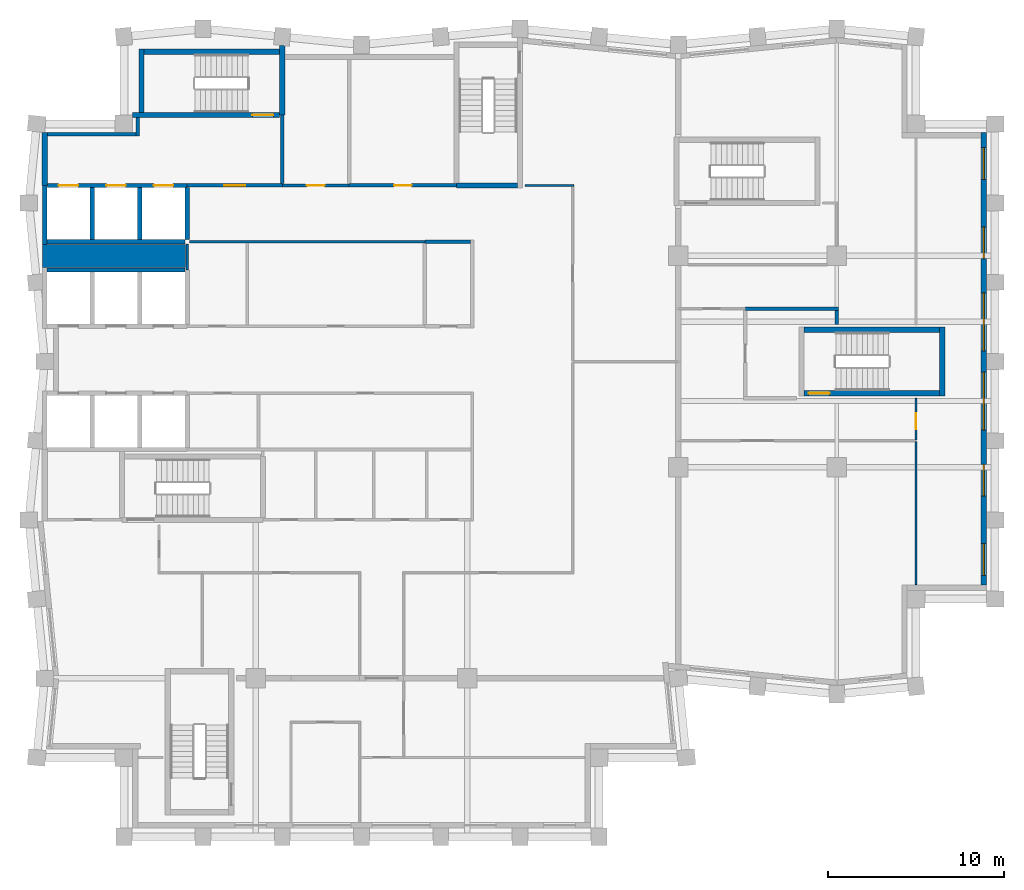
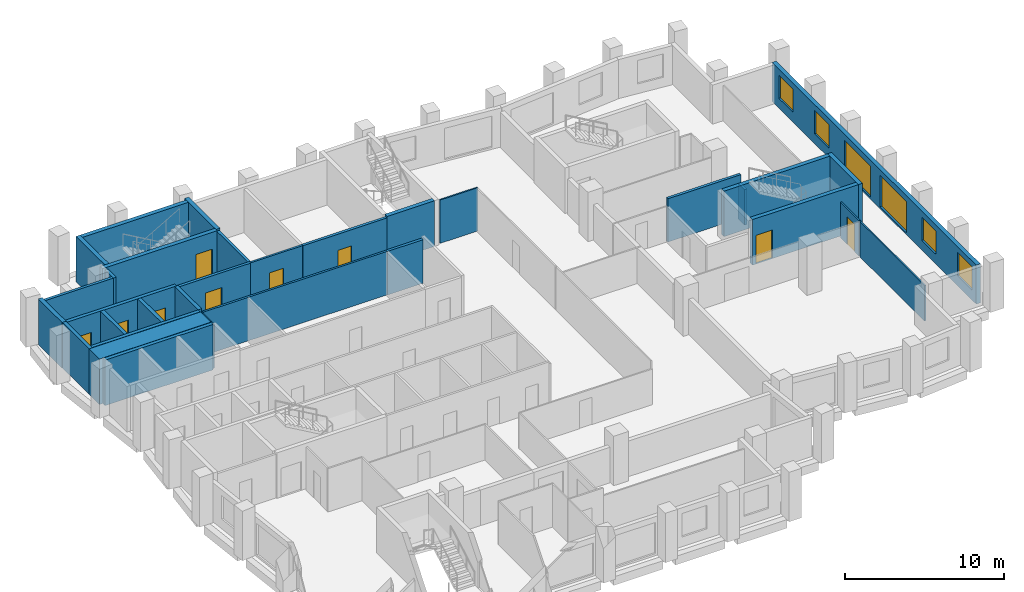
# One storey, part 5 of 8: 32 walls, 9 doors, 6 windows, 15 openings.
"""IFC4 building model written with IfcOpenShell, lengths in metres."""

from ifc_helpers import new_model, si_unit, direction, frame, frame_2d, origin, place, context, subcontext, project, spatial, rectangle, extrude, material, layer, layer_set, type_object, element, fill, save


model = new_model("IFC4")

# Units and contexts
model_context = context("Model", 3, precision=1e-05, world=origin(), true_north=direction((0.0, 1.0)))
body_context = subcontext(model_context, "Body", "Model", "MODEL_VIEW")
ifc_project = project(units=[si_unit("LENGTHUNIT", "METRE"), si_unit("AREAUNIT", "SQUARE_METRE"), si_unit("VOLUMEUNIT", "CUBIC_METRE"), si_unit("PLANEANGLEUNIT", "RADIAN"), si_unit("MASSUNIT", "GRAM", prefix="KILO")], contexts=[model_context])

# Site, building, storey
site_placement = place(None, origin())
site = spatial("IfcSite", under=ifc_project, at=site_placement, CompositionType="ELEMENT")
building_placement = place(site_placement, origin())
building = spatial("IfcBuilding", under=site, at=building_placement, Name="Brondeck Convention Tower", CompositionType="ELEMENT")
storey_placement = place(building_placement, frame((0.0, 0.0, 244.39990234375)))
storey = spatial("IfcBuildingStorey", under=building, at=storey_placement, Name="L60", CompositionType="ELEMENT", Elevation=244.39990234375)

# Walls
ifc_material_1 = material(Name="Concrete C50/60", Category="concrete")
ifc_layer_1 = layer(ifc_material_1, 0.300048828125)
ifc_layer_set_1 = layer_set([ifc_layer_1], Name="Core outer wall 300 Concrete C50/60")
wall_type_1 = type_object("IfcWallType", Name="Core outer wall 300 Concrete C50/60", PredefinedType="SHEAR", material=ifc_layer_set_1)
wall_1_placement = place(storey_placement, frame((0.0, 55.0, 0.0), z_axis=(0.0, 0.0, 1.0), x_axis=(0.0, 1.0, 0.0)))
element("IfcWall", 1, at=wall_1_placement, inside=storey, type_object=wall_type_1, Name="L60 core wall", PredefinedType="SHEAR", context=body_context, shape_type="SweptSolid", body=[
    extrude(rectangle(XDim=3.0, YDim=0.300048828125, at=frame_2d((1.5, 0.0))), origin(), (0.0, 0.0, 1.0), 3.5),
])
ifc_material_2 = material(Name="Fire-rated gypsum board partition")
ifc_layer_2 = layer(ifc_material_2, 0.14990234375)
ifc_layer_set_2 = layer_set([ifc_layer_2], Name="Core partition 150 EI 60")
wall_type_2 = type_object("IfcWallType", Name="Core partition 150 EI 60", PredefinedType="PARTITIONING", material=ifc_layer_set_2)
wall_2_placement = place(storey_placement, frame((8.22509765625, 51.800048828125, 0.0), z_axis=(0.0, 0.0, 1.0), x_axis=(1.0, 0.0, 0.0)))
element("IfcWall", 2, at=wall_2_placement, inside=storey, type_object=wall_type_2, Name="L60 core wall", PredefinedType="PARTITIONING", context=body_context, shape_type="SweptSolid", body=[
    extrude(rectangle(XDim=13.375, YDim=0.14990234375, at=frame_2d((6.6875, 0.0))), origin(), (0.0, 0.0, 1.0), 3.35009765625),
])

# Wall, opening, door
wall_3_placement = place(storey_placement, frame((13.5, 55.0, 0.0), z_axis=(0.0, 0.0, 1.0), x_axis=(1.0, 0.0, 0.0)))
wall_3 = element("IfcWall", 3, at=wall_3_placement, inside=storey, type_object=wall_type_2, Name="L60 core wall", PredefinedType="PARTITIONING", context=body_context, shape_type="SweptSolid", body=[
    extrude(rectangle(XDim=3.800048828125, YDim=0.14990234375, at=frame_2d((1.89990234375, 0.0))), origin(), (0.0, 0.0, 1.0), 3.35009765625),
])
opening_1_placement = place(wall_3_placement, frame((1.39990234375, 0.0, 0.0)))
opening_1 = element("IfcOpeningElement", 4, at=opening_1_placement, cuts=wall_3, Name="Opening C32-12", PredefinedType="OPENING", context=body_context, shape_type="SweptSolid", body=[
    extrude(rectangle(XDim=1.0, YDim=2.10009765625, at=frame_2d((0.5, 1.050048828125))), frame((0.0, 0.0849609375, 0.0), z_axis=(0.0, -1.0, 0.0), x_axis=(1.0, 0.0, 0.0)), (0.0, 0.0, 1.0), 0.169921875),
])
ifc_material_3 = material(Name="Steel fire door", Category="steel")
door_type_1 = type_object("IfcDoorType", Name="Room door 1000x2100 EI 60", OperationType="NOTDEFINED", PredefinedType="DOOR", material=ifc_material_3)
door_1_placement = place(opening_1_placement, origin())
door_1 = element("IfcDoor", 5, at=door_1_placement, inside=storey, type_object=door_type_1, Name="L60 Room door NE-1", OperationType="SINGLE_SWING_LEFT", OverallHeight=2.10009765625, OverallWidth=1.0, PredefinedType="DOOR", context=body_context, shape_type="SweptSolid", body=[
    extrude(rectangle(XDim=1.0, YDim=2.10009765625, at=frame_2d((0.5, 1.050048828125))), frame((0.0, 0.02490234375, 0.0), z_axis=(0.0, -1.0, 0.0), x_axis=(1.0, 0.0, 0.0)), (0.0, 0.0, 1.0), 0.050048828125),
])
fill(opening_1, door_1)

# Walls
wall_4_placement = place(storey_placement, frame((8.10009765625, 50.199951171875, 0.0), z_axis=(0.0, 0.0, 1.0), x_axis=(0.0, 1.0, 0.0)))
element("IfcWall", 6, at=wall_4_placement, inside=storey, type_object=wall_type_2, Name="L60 core wall", PredefinedType="PARTITIONING", context=body_context, shape_type="SweptSolid", body=[
    extrude(rectangle(XDim=1.47509765625, YDim=0.14990234375, at=frame_2d((0.737548828125, 0.0))), origin(), (0.0, 0.0, 1.0), 3.35009765625),
])
ifc_layer_3 = layer(ifc_material_1, 1.300048828125)
ifc_layer_set_3 = layer_set([ifc_layer_3], Name="Core shear wall 1300 Concrete C50/60")
wall_type_3 = type_object("IfcWallType", Name="Core shear wall 1300 Concrete C50/60", PredefinedType="SHEAR", material=ifc_layer_set_3)
wall_5_placement = place(storey_placement, frame((-0.125, 51.0, 0.0), z_axis=(0.0, 0.0, 1.0), x_axis=(1.0, 0.0, 0.0)))
element("IfcWall", 7, at=wall_5_placement, inside=storey, type_object=wall_type_3, Name="L60 core wall", PredefinedType="SHEAR", context=body_context, shape_type="SweptSolid", body=[
    extrude(rectangle(XDim=8.125, YDim=1.300048828125, at=frame_2d((4.0625, 0.0))), origin(), (0.0, 0.0, 1.0), 3.5),
])

# Wall, openings, windows
ifc_material_4 = material(Name="Precast concrete C50/60 bronze finish", Category="concrete")
ifc_layer_4 = layer(ifc_material_4, 0.070068359375, Name="Bronze precast facing")
ifc_material_5 = material(Name="Mineral wool")
ifc_layer_5 = layer(ifc_material_5, 0.159912109375, Name="Insulation")
ifc_material_6 = material(Name="Concrete C35/45", Category="concrete")
ifc_layer_6 = layer(ifc_material_6, 0.070068359375, Name="Backing")
ifc_layer_set_4 = layer_set([ifc_layer_4, ifc_layer_5, ifc_layer_6], Name="External infill wall, precast concrete C50/60 bronze facing")
wall_type_4 = type_object("IfcWallType", Name="External infill wall, precast concrete C50/60 bronze facing", PredefinedType="SOLIDWALL", material=ifc_layer_set_4)
wall_6_placement = place(storey_placement, frame((53.35009765625, 58.0, 0.0), z_axis=(0.0, 0.0, 1.0), x_axis=(0.0, -1.0, 0.0)))
wall_6 = element("IfcWall", 8, at=wall_6_placement, inside=storey, type_object=wall_type_4, Name="ENV-EW-L60-P2-A-E54-01", PredefinedType="SOLIDWALL", context=body_context, shape_type="SweptSolid", body=[
    extrude(rectangle(XDim=25.701904296875, YDim=0.300048828125, at=frame_2d((12.85107421875, 0.0))), origin(), (0.0, 0.0, 1.0), 3.0),
])
opening_2_placement = place(wall_6_placement, frame((0.85009765625, 0.0, 0.75)))
opening_2 = element("IfcOpeningElement", 9, at=opening_2_placement, cuts=wall_6, Name="Opening W10", PredefinedType="OPENING", context=body_context, shape_type="SweptSolid", body=[
    extrude(rectangle(XDim=1.800048828125, YDim=1.800048828125, at=frame_2d((0.89990234375, 0.89990234375))), frame((0.0, 0.159912109375, 0.0), z_axis=(0.0, -1.0, 0.0), x_axis=(1.0, 0.0, 0.0)), (0.0, 0.0, 1.0), 0.320068359375),
])
opening_3_placement = place(wall_6_placement, frame((5.35009765625, 0.0, 0.75)))
opening_3 = element("IfcOpeningElement", 10, at=opening_3_placement, cuts=wall_6, Name="Opening W10", PredefinedType="OPENING", context=body_context, shape_type="SweptSolid", body=[
    extrude(rectangle(XDim=1.800048828125, YDim=1.800048828125, at=frame_2d((0.89990234375, 0.89990234375))), frame((0.0, 0.159912109375, 0.0), z_axis=(0.0, -1.0, 0.0), x_axis=(1.0, 0.0, 0.0)), (0.0, 0.0, 1.0), 0.320068359375),
])
opening_4_placement = place(wall_6_placement, frame((9.10009765625, 0.0, 0.14990234375)))
opening_4 = element("IfcOpeningElement", 11, at=opening_4_placement, cuts=wall_6, Name="Opening W9", PredefinedType="OPENING", context=body_context, shape_type="SweptSolid", body=[
    extrude(rectangle(XDim=3.300048828125, YDim=2.39990234375, at=frame_2d((1.64990234375, 1.199951171875))), frame((0.0, 0.159912109375, 0.0), z_axis=(0.0, -1.0, 0.0), x_axis=(1.0, 0.0, 0.0)), (0.0, 0.0, 1.0), 0.320068359375),
])
opening_5_placement = place(wall_6_placement, frame((13.60009765625, 0.0, 0.14990234375)))
opening_5 = element("IfcOpeningElement", 12, at=opening_5_placement, cuts=wall_6, Name="Opening W9", PredefinedType="OPENING", context=body_context, shape_type="SweptSolid", body=[
    extrude(rectangle(XDim=3.300048828125, YDim=2.39990234375, at=frame_2d((1.64990234375, 1.199951171875))), frame((0.0, 0.159912109375, 0.0), z_axis=(0.0, -1.0, 0.0), x_axis=(1.0, 0.0, 0.0)), (0.0, 0.0, 1.0), 0.320068359375),
])
opening_6_placement = place(wall_6_placement, frame((18.85009765625, 0.0, 0.75)))
opening_6 = element("IfcOpeningElement", 13, at=opening_6_placement, cuts=wall_6, Name="Opening W10", PredefinedType="OPENING", context=body_context, shape_type="SweptSolid", body=[
    extrude(rectangle(XDim=1.800048828125, YDim=1.800048828125, at=frame_2d((0.89990234375, 0.89990234375))), frame((0.0, 0.159912109375, 0.0), z_axis=(0.0, -1.0, 0.0), x_axis=(1.0, 0.0, 0.0)), (0.0, 0.0, 1.0), 0.320068359375),
])
opening_7_placement = place(wall_6_placement, frame((23.35009765625, 0.0, 0.75)))
opening_7 = element("IfcOpeningElement", 14, at=opening_7_placement, cuts=wall_6, Name="Opening W10", PredefinedType="OPENING", context=body_context, shape_type="SweptSolid", body=[
    extrude(rectangle(XDim=1.800048828125, YDim=1.800048828125, at=frame_2d((0.89990234375, 0.89990234375))), frame((0.0, 0.159912109375, 0.0), z_axis=(0.0, -1.0, 0.0), x_axis=(1.0, 0.0, 0.0)), (0.0, 0.0, 1.0), 0.320068359375),
])
ifc_material_7 = material(Name="Bronze tinted double glazing", Category="glass")
window_type_1 = type_object("IfcWindowType", Name="Glazed flute window, bronze tinted", PartitioningType="SINGLE_PANEL", PredefinedType="WINDOW", material=ifc_material_7)
window_1_placement = place(opening_4_placement, origin())
window_1 = element("IfcWindow", 15, at=window_1_placement, inside=storey, type_object=window_type_1, Name="ENV-WN-L60-P2-A-E54-04", OverallHeight=2.39990234375, OverallWidth=3.300048828125, PartitioningType="SINGLE_PANEL", PredefinedType="WINDOW", context=body_context, shape_type="SweptSolid", body=[
    extrude(rectangle(XDim=3.300048828125, YDim=2.39990234375, at=frame_2d((1.64990234375, 1.199951171875))), frame((0.0, 0.030029296875, 0.0), z_axis=(0.0, -1.0, 0.0), x_axis=(1.0, 0.0, 0.0)), (0.0, 0.0, 1.0), 0.06005859375),
])
fill(opening_4, window_1)
window_2_placement = place(opening_5_placement, origin())
window_2 = element("IfcWindow", 16, at=window_2_placement, inside=storey, type_object=window_type_1, Name="ENV-WN-L60-P2-A-E54-03", OverallHeight=2.39990234375, OverallWidth=3.300048828125, PartitioningType="SINGLE_PANEL", PredefinedType="WINDOW", context=body_context, shape_type="SweptSolid", body=[
    extrude(rectangle(XDim=3.300048828125, YDim=2.39990234375, at=frame_2d((1.64990234375, 1.199951171875))), frame((0.0, 0.030029296875, 0.0), z_axis=(0.0, -1.0, 0.0), x_axis=(1.0, 0.0, 0.0)), (0.0, 0.0, 1.0), 0.06005859375),
])
fill(opening_5, window_2)
window_type_2 = type_object("IfcWindowType", Name="Punched window, bronze tinted", PartitioningType="SINGLE_PANEL", PredefinedType="WINDOW", material=ifc_material_7)
window_3_placement = place(opening_2_placement, origin())
window_3 = element("IfcWindow", 17, at=window_3_placement, inside=storey, type_object=window_type_2, Name="ENV-WN-L60-P2-A-E54-06", OverallHeight=1.800048828125, OverallWidth=1.800048828125, PartitioningType="SINGLE_PANEL", PredefinedType="WINDOW", context=body_context, shape_type="SweptSolid", body=[
    extrude(rectangle(XDim=1.800048828125, YDim=1.800048828125, at=frame_2d((0.89990234375, 0.89990234375))), frame((0.0, 0.030029296875, 0.0), z_axis=(0.0, -1.0, 0.0), x_axis=(1.0, 0.0, 0.0)), (0.0, 0.0, 1.0), 0.06005859375),
])
fill(opening_2, window_3)
window_4_placement = place(opening_3_placement, origin())
window_4 = element("IfcWindow", 18, at=window_4_placement, inside=storey, type_object=window_type_2, Name="ENV-WN-L60-P2-A-E54-05", OverallHeight=1.800048828125, OverallWidth=1.800048828125, PartitioningType="SINGLE_PANEL", PredefinedType="WINDOW", context=body_context, shape_type="SweptSolid", body=[
    extrude(rectangle(XDim=1.800048828125, YDim=1.800048828125, at=frame_2d((0.89990234375, 0.89990234375))), frame((0.0, 0.030029296875, 0.0), z_axis=(0.0, -1.0, 0.0), x_axis=(1.0, 0.0, 0.0)), (0.0, 0.0, 1.0), 0.06005859375),
])
fill(opening_3, window_4)
window_5_placement = place(opening_6_placement, origin())
window_5 = element("IfcWindow", 19, at=window_5_placement, inside=storey, type_object=window_type_2, Name="ENV-WN-L60-P2-A-E54-02", OverallHeight=1.800048828125, OverallWidth=1.800048828125, PartitioningType="SINGLE_PANEL", PredefinedType="WINDOW", context=body_context, shape_type="SweptSolid", body=[
    extrude(rectangle(XDim=1.800048828125, YDim=1.800048828125, at=frame_2d((0.89990234375, 0.89990234375))), frame((0.0, 0.030029296875, 0.0), z_axis=(0.0, -1.0, 0.0), x_axis=(1.0, 0.0, 0.0)), (0.0, 0.0, 1.0), 0.06005859375),
])
fill(opening_6, window_5)
window_6_placement = place(opening_7_placement, origin())
window_6 = element("IfcWindow", 20, at=window_6_placement, inside=storey, type_object=window_type_2, Name="ENV-WN-L60-P2-A-E54-01", OverallHeight=1.800048828125, OverallWidth=1.800048828125, PartitioningType="SINGLE_PANEL", PredefinedType="WINDOW", context=body_context, shape_type="SweptSolid", body=[
    extrude(rectangle(XDim=1.800048828125, YDim=1.800048828125, at=frame_2d((0.89990234375, 0.89990234375))), frame((0.0, 0.030029296875, 0.0), z_axis=(0.0, -1.0, 0.0), x_axis=(1.0, 0.0, 0.0)), (0.0, 0.0, 1.0), 0.06005859375),
])
fill(opening_7, window_6)

# Wall, opening, door
ifc_layer_7 = layer(ifc_material_2, 0.199951171875)
ifc_layer_set_5 = layer_set([ifc_layer_7], Name="Firefighting lobby wall 200 EI 120")
wall_type_5 = type_object("IfcWallType", Name="Firefighting lobby wall 200 EI 120", PredefinedType="PARTITIONING", material=ifc_layer_set_5)
wall_7_placement = place(storey_placement, frame((8.10009765625, 55.0, 0.0), z_axis=(0.0, 0.0, 1.0), x_axis=(1.0, 0.0, 0.0)))
wall_7 = element("IfcWall", 21, at=wall_7_placement, inside=storey, type_object=wall_type_5, Name="L60 core wall", PredefinedType="PARTITIONING", context=body_context, shape_type="SweptSolid", body=[
    extrude(rectangle(XDim=5.39990234375, YDim=0.199951171875, at=frame_2d((2.699951171875, 0.0))), origin(), (0.0, 0.0, 1.0), 3.35009765625),
])
opening_8_placement = place(wall_7_placement, frame((2.10009765625, 0.0, 0.0)))
opening_8 = element("IfcOpeningElement", 22, at=opening_8_placement, cuts=wall_7, Name="Opening C32-01", PredefinedType="OPENING", context=body_context, shape_type="SweptSolid", body=[
    extrude(rectangle(XDim=1.199951171875, YDim=2.199951171875, at=frame_2d((0.60009765625, 1.10009765625))), frame((0.0, 0.10986328125, 0.0), z_axis=(0.0, -1.0, 0.0), x_axis=(1.0, 0.0, 0.0)), (0.0, 0.0, 1.0), 0.219970703125),
])
door_type_2 = type_object("IfcDoorType", Name="Firefighting lobby door 1200x2200 EI 120", OperationType="NOTDEFINED", PredefinedType="DOOR", material=ifc_material_3)
door_2_placement = place(opening_8_placement, origin())
door_2 = element("IfcDoor", 23, at=door_2_placement, inside=storey, type_object=door_type_2, Name="L60 Firefighting lobby door FFL-1", OperationType="SINGLE_SWING_RIGHT", OverallHeight=2.199951171875, OverallWidth=1.199951171875, PredefinedType="DOOR", context=body_context, shape_type="SweptSolid", body=[
    extrude(rectangle(XDim=1.199951171875, YDim=2.199951171875, at=frame_2d((0.60009765625, 1.10009765625))), frame((0.0, 0.02490234375, 0.0), z_axis=(0.0, -1.0, 0.0), x_axis=(1.0, 0.0, 0.0)), (0.0, 0.0, 1.0), 0.050048828125),
])
fill(opening_8, door_2)

# Walls
wall_8_placement = place(storey_placement, frame((0.14990234375, 57.89990234375, 0.0), z_axis=(0.0, 0.0, 1.0), x_axis=(1.0, 0.0, 0.0)))
element("IfcWall", 24, at=wall_8_placement, inside=storey, type_object=wall_type_5, Name="L60 core wall", PredefinedType="PARTITIONING", context=body_context, shape_type="SweptSolid", body=[
    extrude(rectangle(XDim=5.050048828125, YDim=0.199951171875, at=frame_2d((2.52490234375, 0.0))), origin(), (0.0, 0.0, 1.0), 3.35009765625),
])
wall_9_placement = place(storey_placement, frame((5.300048828125, 57.800048828125, 0.0), z_axis=(0.0, 0.0, 1.0), x_axis=(0.0, 1.0, 0.0)))
element("IfcWall", 25, at=wall_9_placement, inside=storey, type_object=wall_type_5, Name="L60 core wall", PredefinedType="PARTITIONING", context=body_context, shape_type="SweptSolid", body=[
    extrude(rectangle(XDim=1.050048828125, YDim=0.199951171875, at=frame_2d((0.52490234375, 0.0))), origin(), (0.0, 0.0, 1.0), 3.35009765625),
])
wall_10_placement = place(storey_placement, frame((13.5, 55.10009765625, 0.0), z_axis=(0.0, 0.0, 1.0), x_axis=(0.0, 1.0, 0.0)))
element("IfcWall", 26, at=wall_10_placement, inside=storey, type_object=wall_type_5, Name="L60 core wall", PredefinedType="PARTITIONING", context=body_context, shape_type="SweptSolid", body=[
    extrude(rectangle(XDim=3.89990234375, YDim=0.199951171875, at=frame_2d((1.949951171875, 0.0))), origin(), (0.0, 0.0, 1.0), 3.35009765625),
])
ifc_layer_8 = layer(ifc_material_1, 0.25)
ifc_layer_set_6 = layer_set([ifc_layer_8], Name="Lift shaft wall 250 Concrete C50/60")
wall_type_6 = type_object("IfcWallType", Name="Lift shaft wall 250 Concrete C50/60", PredefinedType="SHEAR", material=ifc_layer_set_6)
for number, where, z_axis, x_axis, name in (
    (27, (0.125, 50.199951171875, 0.0), (0.0, 0.0, 1.0), (1.0, 0.0, 0.0), "L60 core wall"),
    (28, (0.125, 51.800048828125, 0.0), (0.0, 0.0, 1.0), (1.0, 0.0, 0.0), "L60 core wall"),
):
    element("IfcWall", number, at=place(storey_placement, frame(where, z_axis=z_axis, x_axis=x_axis)), inside=storey, type_object=wall_type_6, Name=name, PredefinedType="SHEAR", context=body_context, shape_type="SweptSolid", body=[
        extrude(rectangle(XDim=7.85009765625, YDim=0.25, at=frame_2d((3.925048828125, 0.0))), origin(), (0.0, 0.0, 1.0), 3.5),
    ])

# Wall, openings, doors
wall_11_placement = place(storey_placement, frame((0.14990234375, 55.0, 0.0), z_axis=(0.0, 0.0, 1.0), x_axis=(1.0, 0.0, 0.0)))
wall_11 = element("IfcWall", 29, at=wall_11_placement, inside=storey, type_object=wall_type_6, Name="L60 core wall", PredefinedType="SHEAR", context=body_context, shape_type="SweptSolid", body=[
    extrude(rectangle(XDim=7.9501953125, YDim=0.25, at=frame_2d((3.97509765625, 0.0))), origin(), (0.0, 0.0, 1.0), 3.5),
])
opening_9_placement = place(wall_11_placement, frame((0.64990234375, 0.0, 0.0)))
opening_9 = element("IfcOpeningElement", 30, at=opening_9_placement, cuts=wall_11, Name="Opening C32-20", PredefinedType="OPENING", context=body_context, shape_type="SweptSolid", body=[
    extrude(rectangle(XDim=1.10009765625, YDim=2.10009765625, at=frame_2d((0.550048828125, 1.050048828125))), frame((0.0, 0.135009765625, 0.0), z_axis=(0.0, -1.0, 0.0), x_axis=(1.0, 0.0, 0.0)), (0.0, 0.0, 1.0), 0.27001953125),
])
opening_10_placement = place(wall_11_placement, frame((3.35009765625, 0.0, 0.0)))
opening_10 = element("IfcOpeningElement", 31, at=opening_10_placement, cuts=wall_11, Name="Opening C32-21", PredefinedType="OPENING", context=body_context, shape_type="SweptSolid", body=[
    extrude(rectangle(XDim=1.10009765625, YDim=2.10009765625, at=frame_2d((0.550048828125, 1.050048828125))), frame((0.0, 0.135009765625, 0.0), z_axis=(0.0, -1.0, 0.0), x_axis=(1.0, 0.0, 0.0)), (0.0, 0.0, 1.0), 0.27001953125),
])
opening_11_placement = place(wall_11_placement, frame((6.050048828125, 0.0, 0.0)))
opening_11 = element("IfcOpeningElement", 32, at=opening_11_placement, cuts=wall_11, Name="Opening C32-22", PredefinedType="OPENING", context=body_context, shape_type="SweptSolid", body=[
    extrude(rectangle(XDim=1.10009765625, YDim=2.10009765625, at=frame_2d((0.550048828125, 1.050048828125))), frame((0.0, 0.135009765625, 0.0), z_axis=(0.0, -1.0, 0.0), x_axis=(1.0, 0.0, 0.0)), (0.0, 0.0, 1.0), 0.27001953125),
])
ifc_material_8 = material(Name="Stainless steel lift door", Category="steel")
door_type_3 = type_object("IfcDoorType", Name="Lift landing door 1100x2100 EI 180", OperationType="DOUBLE_DOOR_SLIDING", PredefinedType="DOOR", material=ifc_material_8)
door_3_placement = place(opening_9_placement, origin())
door_3 = element("IfcDoor", 33, at=door_3_placement, inside=storey, type_object=door_type_3, Name="L60 Lift landing door FF1", OperationType="DOUBLE_DOOR_SLIDING", OverallHeight=2.10009765625, OverallWidth=1.10009765625, PredefinedType="DOOR", context=body_context, shape_type="SweptSolid", body=[
    extrude(rectangle(XDim=1.10009765625, YDim=2.10009765625, at=frame_2d((0.550048828125, 1.050048828125))), frame((0.0, 0.02490234375, 0.0), z_axis=(0.0, -1.0, 0.0), x_axis=(1.0, 0.0, 0.0)), (0.0, 0.0, 1.0), 0.050048828125),
])
fill(opening_9, door_3)
door_4_placement = place(opening_10_placement, origin())
door_4 = element("IfcDoor", 34, at=door_4_placement, inside=storey, type_object=door_type_3, Name="L60 Lift landing door FF2", OperationType="DOUBLE_DOOR_SLIDING", OverallHeight=2.10009765625, OverallWidth=1.10009765625, PredefinedType="DOOR", context=body_context, shape_type="SweptSolid", body=[
    extrude(rectangle(XDim=1.10009765625, YDim=2.10009765625, at=frame_2d((0.550048828125, 1.050048828125))), frame((0.0, 0.02490234375, 0.0), z_axis=(0.0, -1.0, 0.0), x_axis=(1.0, 0.0, 0.0)), (0.0, 0.0, 1.0), 0.050048828125),
])
fill(opening_10, door_4)
door_5_placement = place(opening_11_placement, origin())
door_5 = element("IfcDoor", 35, at=door_5_placement, inside=storey, type_object=door_type_3, Name="L60 Lift landing door FF3", OperationType="DOUBLE_DOOR_SLIDING", OverallHeight=2.10009765625, OverallWidth=1.10009765625, PredefinedType="DOOR", context=body_context, shape_type="SweptSolid", body=[
    extrude(rectangle(XDim=1.10009765625, YDim=2.10009765625, at=frame_2d((0.550048828125, 1.050048828125))), frame((0.0, 0.02490234375, 0.0), z_axis=(0.0, -1.0, 0.0), x_axis=(1.0, 0.0, 0.0)), (0.0, 0.0, 1.0), 0.050048828125),
])
fill(opening_11, door_5)

# Walls
wall_12_placement = place(storey_placement, frame((0.0, 51.64990234375, 0.0), z_axis=(0.0, 0.0, 1.0), x_axis=(0.0, 1.0, 0.0)))
element("IfcWall", 36, at=wall_12_placement, inside=storey, type_object=wall_type_6, Name="L60 core wall", PredefinedType="SHEAR", context=body_context, shape_type="SweptSolid", body=[
    extrude(rectangle(XDim=3.35009765625, YDim=0.25, at=frame_2d((1.675048828125, 0.0))), origin(), (0.0, 0.0, 1.0), 3.5),
])
for number, where, z_axis, x_axis, name in (
    (37, (2.699951171875, 51.925048828125, 0.0), (0.0, 0.0, 1.0), (0.0, 1.0, 0.0), "L60 core wall"),
    (38, (5.39990234375, 51.925048828125, 0.0), (0.0, 0.0, 1.0), (0.0, 1.0, 0.0), "L60 core wall"),
    (39, (8.10009765625, 51.925048828125, 0.0), (0.0, 0.0, 1.0), (0.0, 1.0, 0.0), "L60 core wall"),
):
    element("IfcWall", number, at=place(storey_placement, frame(where, z_axis=z_axis, x_axis=x_axis)), inside=storey, type_object=wall_type_6, Name=name, PredefinedType="SHEAR", context=body_context, shape_type="SweptSolid", body=[
        extrude(rectangle(XDim=2.949951171875, YDim=0.25, at=frame_2d((1.47509765625, 0.0))), origin(), (0.0, 0.0, 1.0), 3.5),
    ])
ifc_material_9 = material(Name="Concrete block wall C16/20", Category="concrete")
ifc_layer_9 = layer(ifc_material_9, 0.199951171875)
ifc_layer_set_7 = layer_set([ifc_layer_9], Name="Plant room wall 200")
wall_type_7 = type_object("IfcWallType", Name="Plant room wall 200", PredefinedType="PARTITIONING", material=ifc_layer_set_7)
wall_13_placement = place(storey_placement, frame((45.0, 47.89990234375, 0.0), z_axis=(0.0, 0.0, 1.0), x_axis=(0.0, -1.0, 0.0)))
element("IfcWall", 40, at=wall_13_placement, inside=storey, type_object=wall_type_7, Name="FLR-L60-W040", PredefinedType="PARTITIONING", context=body_context, shape_type="SweptSolid", body=[
    extrude(rectangle(XDim=0.7998046875, YDim=0.199951171875, at=frame_2d((0.39990234375, 0.0))), origin(), (0.0, 0.0, 1.0), 2.72998046875),
])
wall_14_placement = place(storey_placement, frame((39.800048828125, 48.0, 0.0), z_axis=(0.0, 0.0, 1.0), x_axis=(1.0, 0.0, 0.0)))
element("IfcWall", 41, at=wall_14_placement, inside=storey, type_object=wall_type_7, Name="FLR-L60-W042", PredefinedType="PARTITIONING", context=body_context, shape_type="SweptSolid", body=[
    extrude(rectangle(XDim=5.300048828125, YDim=0.199951171875, at=frame_2d((2.64990234375, 0.0))), origin(), (0.0, 0.0, 1.0), 3.330078125),
])
ifc_layer_10 = layer(ifc_material_2, 0.199951171875)
ifc_layer_set_8 = layer_set([ifc_layer_10], Name="Riser wall 200 EI 120")
wall_type_8 = type_object("IfcWallType", Name="Riser wall 200 EI 120", PredefinedType="PARTITIONING", material=ifc_layer_set_8)
wall_15_placement = place(storey_placement, frame((21.60009765625, 51.800048828125, 0.0), z_axis=(0.0, 0.0, 1.0), x_axis=(1.0, 0.0, 0.0)))
element("IfcWall", 42, at=wall_15_placement, inside=storey, type_object=wall_type_8, Name="L60 core wall", PredefinedType="PARTITIONING", context=body_context, shape_type="SweptSolid", body=[
    extrude(rectangle(XDim=2.599853515625, YDim=0.199951171875, at=frame_2d((1.2998046875, 0.0))), origin(), (0.0, 0.0, 1.0), 3.35009765625),
])

# Wall, opening, door
wall_16_placement = place(storey_placement, frame((17.300048828125, 55.0, 0.0), z_axis=(0.0, 0.0, 1.0), x_axis=(1.0, 0.0, 0.0)))
wall_16 = element("IfcWall", 43, at=wall_16_placement, inside=storey, type_object=wall_type_8, Name="L60 core wall", PredefinedType="PARTITIONING", context=body_context, shape_type="SweptSolid", body=[
    extrude(rectangle(XDim=6.099853515625, YDim=0.199951171875, at=frame_2d((3.0498046875, 0.0))), origin(), (0.0, 0.0, 1.0), 3.35009765625),
])
opening_12_placement = place(wall_16_placement, frame((2.550048828125, 0.0, 0.0)))
opening_12 = element("IfcOpeningElement", 44, at=opening_12_placement, cuts=wall_16, Name="Opening C32-13", PredefinedType="OPENING", context=body_context, shape_type="SweptSolid", body=[
    extrude(rectangle(XDim=1.0, YDim=2.10009765625, at=frame_2d((0.5, 1.050048828125))), frame((0.0, 0.10986328125, 0.0), z_axis=(0.0, -1.0, 0.0), x_axis=(1.0, 0.0, 0.0)), (0.0, 0.0, 1.0), 0.219970703125),
])
door_type_4 = type_object("IfcDoorType", Name="Riser door 1000x2100 EI 120", OperationType="NOTDEFINED", PredefinedType="DOOR", material=ifc_material_3)
door_6_placement = place(opening_12_placement, origin())
door_6 = element("IfcDoor", 45, at=door_6_placement, inside=storey, type_object=door_type_4, Name="L60 Riser door NE-2", OperationType="SINGLE_SWING_RIGHT", OverallHeight=2.10009765625, OverallWidth=1.0, PredefinedType="DOOR", context=body_context, shape_type="SweptSolid", body=[
    extrude(rectangle(XDim=1.0, YDim=2.10009765625, at=frame_2d((0.5, 1.050048828125))), frame((0.0, 0.02490234375, 0.0), z_axis=(0.0, -1.0, 0.0), x_axis=(1.0, 0.0, 0.0)), (0.0, 0.0, 1.0), 0.050048828125),
])
fill(opening_12, door_6)

# Wall
ifc_material_10 = material(Name="Gypsum board partition on steel studs", Category="steel")
ifc_layer_11 = layer(ifc_material_10, 0.10009765625)
ifc_layer_set_9 = layer_set([ifc_layer_11], Name="Room partition 100")
wall_type_9 = type_object("IfcWallType", Name="Room partition 100", PredefinedType="PARTITIONING", material=ifc_layer_set_9)
wall_17_placement = place(storey_placement, frame((49.5, 32.320068359375, 0.0), z_axis=(0.0, 0.0, 1.0), x_axis=(0.0, 1.0, 0.0)))
element("IfcWall", 46, at=wall_17_placement, inside=storey, type_object=wall_type_9, Name="FLR-L60-W023", PredefinedType="PARTITIONING", context=body_context, shape_type="SweptSolid", body=[
    extrude(rectangle(XDim=8.1298828125, YDim=0.10009765625, at=frame_2d((4.06494140625, 0.0))), origin(), (0.0, 0.0, 1.0), 2.72998046875),
])

# Wall, opening, door
wall_18_placement = place(storey_placement, frame((49.5, 42.89990234375, 0.0), z_axis=(0.0, 0.0, 1.0), x_axis=(0.0, -1.0, 0.0)))
wall_18 = element("IfcWall", 47, at=wall_18_placement, inside=storey, type_object=wall_type_9, Name="FLR-L60-W034", PredefinedType="PARTITIONING", context=body_context, shape_type="SweptSolid", body=[
    extrude(rectangle(XDim=2.349853515625, YDim=0.10009765625, at=frame_2d((1.1748046875, 0.0))), origin(), (0.0, 0.0, 1.0), 2.72998046875),
])
opening_13_placement = place(wall_18_placement, frame((0.85009765625, 0.0, 0.0)))
opening_13 = element("IfcOpeningElement", 48, at=opening_13_placement, cuts=wall_18, Name="Opening OF-O-003", PredefinedType="OPENING", context=body_context, shape_type="SweptSolid", body=[
    extrude(rectangle(XDim=0.89990234375, YDim=2.10009765625, at=frame_2d((0.449951171875, 1.050048828125))), frame((0.0, 0.06005859375, 0.0), z_axis=(0.0, -1.0, 0.0), x_axis=(1.0, 0.0, 0.0)), (0.0, 0.0, 1.0), 0.1201171875),
])
ifc_material_11 = material(Name="Solid timber door leaf", Category="wood")
door_type_5 = type_object("IfcDoorType", Name="Single door 900", OperationType="NOTDEFINED", PredefinedType="DOOR", material=ifc_material_11)
door_7_placement = place(opening_13_placement, origin())
door_7 = element("IfcDoor", 49, at=door_7_placement, inside=storey, type_object=door_type_5, Name="Door OF-O-003", OperationType="SINGLE_SWING_LEFT", OverallHeight=2.10009765625, OverallWidth=0.89990234375, PredefinedType="DOOR", context=body_context, shape_type="SweptSolid", body=[
    extrude(rectangle(XDim=0.89990234375, YDim=2.10009765625, at=frame_2d((0.449951171875, 1.050048828125))), frame((0.0, 0.02490234375, 0.0), z_axis=(0.0, -1.0, 0.0), x_axis=(1.0, 0.0, 0.0)), (0.0, 0.0, 1.0), 0.050048828125),
])
fill(opening_13, door_7)

# Wall
wall_19_placement = place(storey_placement, frame((27.300048828125, 55.0, 0.0), z_axis=(0.0, 0.0, 1.0), x_axis=(1.0, 0.0, 0.0)))
element("IfcWall", 50, at=wall_19_placement, inside=storey, type_object=wall_type_9, Name="FLR-L60-W049", PredefinedType="PARTITIONING", context=body_context, shape_type="SweptSolid", body=[
    extrude(rectangle(XDim=2.75, YDim=0.10009765625, at=frame_2d((1.375, 0.0))), origin(), (0.0, 0.0, 1.0), 3.330078125),
])

# Wall, opening, door
ifc_layer_12 = layer(ifc_material_1, 0.300048828125)
ifc_layer_set_10 = layer_set([ifc_layer_12], Name="Stair enclosure wall 300 Concrete C50/60")
wall_type_10 = type_object("IfcWallType", Name="Stair enclosure wall 300 Concrete C50/60", PredefinedType="SHEAR", material=ifc_layer_set_10)
wall_20_placement = place(storey_placement, frame((43.14990234375, 43.199951171875, 0.0), z_axis=(0.0, 0.0, 1.0), x_axis=(1.0, 0.0, 0.0)))
wall_20 = element("IfcWall", 51, at=wall_20_placement, inside=storey, type_object=wall_type_10, Name="L60 core wall", PredefinedType="SHEAR", context=body_context, shape_type="SweptSolid", body=[
    extrude(rectangle(XDim=7.7001953125, YDim=0.300048828125, at=frame_2d((3.85009765625, 0.0))), origin(), (0.0, 0.0, 1.0), 3.5),
])
opening_14_placement = place(wall_20_placement, frame((0.25, 0.0, 0.0)))
opening_14 = element("IfcOpeningElement", 52, at=opening_14_placement, cuts=wall_20, Name="Opening C32-18", PredefinedType="OPENING", context=body_context, shape_type="SweptSolid", body=[
    extrude(rectangle(XDim=1.199951171875, YDim=2.199951171875, at=frame_2d((0.60009765625, 1.10009765625))), frame((0.0, 0.159912109375, 0.0), z_axis=(0.0, -1.0, 0.0), x_axis=(1.0, 0.0, 0.0)), (0.0, 0.0, 1.0), 0.320068359375),
])
door_type_6 = type_object("IfcDoorType", Name="Stair door 1200x2200 EI 90", OperationType="NOTDEFINED", PredefinedType="DOOR", material=ifc_material_3)
door_8_placement = place(opening_14_placement, origin())
door_8 = element("IfcDoor", 53, at=door_8_placement, inside=storey, type_object=door_type_6, Name="L60 Stair door ST-AF", OperationType="SINGLE_SWING_RIGHT", OverallHeight=2.199951171875, OverallWidth=1.199951171875, PredefinedType="DOOR", context=body_context, shape_type="SweptSolid", body=[
    extrude(rectangle(XDim=1.199951171875, YDim=2.199951171875, at=frame_2d((0.60009765625, 1.10009765625))), frame((0.0, 0.02490234375, 0.0), z_axis=(0.0, -1.0, 0.0), x_axis=(1.0, 0.0, 0.0)), (0.0, 0.0, 1.0), 0.050048828125),
])
fill(opening_14, door_8)

# Walls
wall_21_placement = place(storey_placement, frame((43.14990234375, 46.800048828125, 0.0), z_axis=(0.0, 0.0, 1.0), x_axis=(1.0, 0.0, 0.0)))
element("IfcWall", 54, at=wall_21_placement, inside=storey, type_object=wall_type_10, Name="L60 core wall", PredefinedType="SHEAR", context=body_context, shape_type="SweptSolid", body=[
    extrude(rectangle(XDim=7.7001953125, YDim=0.300048828125, at=frame_2d((3.85009765625, 0.0))), origin(), (0.0, 0.0, 1.0), 3.5),
])
wall_22_placement = place(storey_placement, frame((23.39990234375, 55.0, 0.0), z_axis=(0.0, 0.0, 1.0), x_axis=(1.0, 0.0, 0.0)))
element("IfcWall", 55, at=wall_22_placement, inside=storey, type_object=wall_type_10, Name="L60 core wall", PredefinedType="SHEAR", context=body_context, shape_type="SweptSolid", body=[
    extrude(rectangle(XDim=3.4501953125, YDim=0.300048828125, at=frame_2d((1.72509765625, 0.0))), origin(), (0.0, 0.0, 1.0), 3.5),
])

# Wall, opening, door
wall_23_placement = place(storey_placement, frame((5.0, 59.0, 0.0), z_axis=(0.0, 0.0, 1.0), x_axis=(1.0, 0.0, 0.0)))
wall_23 = element("IfcWall", 56, at=wall_23_placement, inside=storey, type_object=wall_type_10, Name="L60 core wall", PredefinedType="SHEAR", context=body_context, shape_type="SweptSolid", body=[
    extrude(rectangle(XDim=8.35009765625, YDim=0.300048828125, at=frame_2d((4.175048828125, 0.0))), origin(), (0.0, 0.0, 1.0), 3.5),
])
opening_15_placement = place(wall_23_placement, frame((6.800048828125, 0.0, 0.0)))
opening_15 = element("IfcOpeningElement", 57, at=opening_15_placement, cuts=wall_23, Name="Opening C32-16", PredefinedType="OPENING", context=body_context, shape_type="SweptSolid", body=[
    extrude(rectangle(XDim=1.199951171875, YDim=2.199951171875, at=frame_2d((0.60009765625, 1.10009765625))), frame((0.0, 0.159912109375, 0.0), z_axis=(0.0, -1.0, 0.0), x_axis=(1.0, 0.0, 0.0)), (0.0, 0.0, 1.0), 0.320068359375),
])
door_type_7 = type_object("IfcDoorType", Name="Stair door 1200x2200 EI 120", OperationType="NOTDEFINED", PredefinedType="DOOR", material=ifc_material_3)
door_9_placement = place(opening_15_placement, origin())
door_9 = element("IfcDoor", 58, at=door_9_placement, inside=storey, type_object=door_type_7, Name="L60 Stair door ST-3", OperationType="SINGLE_SWING_RIGHT", OverallHeight=2.199951171875, OverallWidth=1.199951171875, PredefinedType="DOOR", context=body_context, shape_type="SweptSolid", body=[
    extrude(rectangle(XDim=1.199951171875, YDim=2.199951171875, at=frame_2d((0.60009765625, 1.10009765625))), frame((0.0, 0.02490234375, 0.0), z_axis=(0.0, -1.0, 0.0), x_axis=(1.0, 0.0, 0.0)), (0.0, 0.0, 1.0), 0.050048828125),
])
fill(opening_15, door_9)

# Walls
wall_24_placement = place(storey_placement, frame((5.64990234375, 62.60009765625, 0.0), z_axis=(0.0, 0.0, 1.0), x_axis=(1.0, 0.0, 0.0)))
element("IfcWall", 59, at=wall_24_placement, inside=storey, type_object=wall_type_10, Name="L60 core wall", PredefinedType="SHEAR", context=body_context, shape_type="SweptSolid", body=[
    extrude(rectangle(XDim=7.7001953125, YDim=0.300048828125, at=frame_2d((3.85009765625, 0.0))), origin(), (0.0, 0.0, 1.0), 3.5),
])
wall_25_placement = place(storey_placement, frame((5.5, 59.14990234375, 0.0), z_axis=(0.0, 0.0, 1.0), x_axis=(0.0, 1.0, 0.0)))
element("IfcWall", 60, at=wall_25_placement, inside=storey, type_object=wall_type_10, Name="L60 core wall", PredefinedType="SHEAR", context=body_context, shape_type="SweptSolid", body=[
    extrude(rectangle(XDim=3.60009765625, YDim=0.300048828125, at=frame_2d((1.800048828125, 0.0))), origin(), (0.0, 0.0, 1.0), 3.5),
])
wall_26_placement = place(storey_placement, frame((13.5, 59.0, 0.0), z_axis=(0.0, 0.0, 1.0), x_axis=(0.0, 1.0, 0.0)))
element("IfcWall", 61, at=wall_26_placement, inside=storey, type_object=wall_type_10, Name="L60 core wall", PredefinedType="SHEAR", context=body_context, shape_type="SweptSolid", body=[
    extrude(rectangle(XDim=3.947509765625, YDim=0.300048828125, at=frame_2d((1.9736328125, 0.0))), origin(), (0.0, 0.0, 1.0), 3.5),
])
wall_27_placement = place(storey_placement, frame((51.0, 43.050048828125, 0.0), z_axis=(0.0, 0.0, 1.0), x_axis=(0.0, 1.0, 0.0)))
element("IfcWall", 62, at=wall_27_placement, inside=storey, type_object=wall_type_10, Name="L60 core wall", PredefinedType="SHEAR", context=body_context, shape_type="SweptSolid", body=[
    extrude(rectangle(XDim=3.89990234375, YDim=0.300048828125, at=frame_2d((1.949951171875, 0.0))), origin(), (0.0, 0.0, 1.0), 3.5),
])

save(model, "model.ifc")
